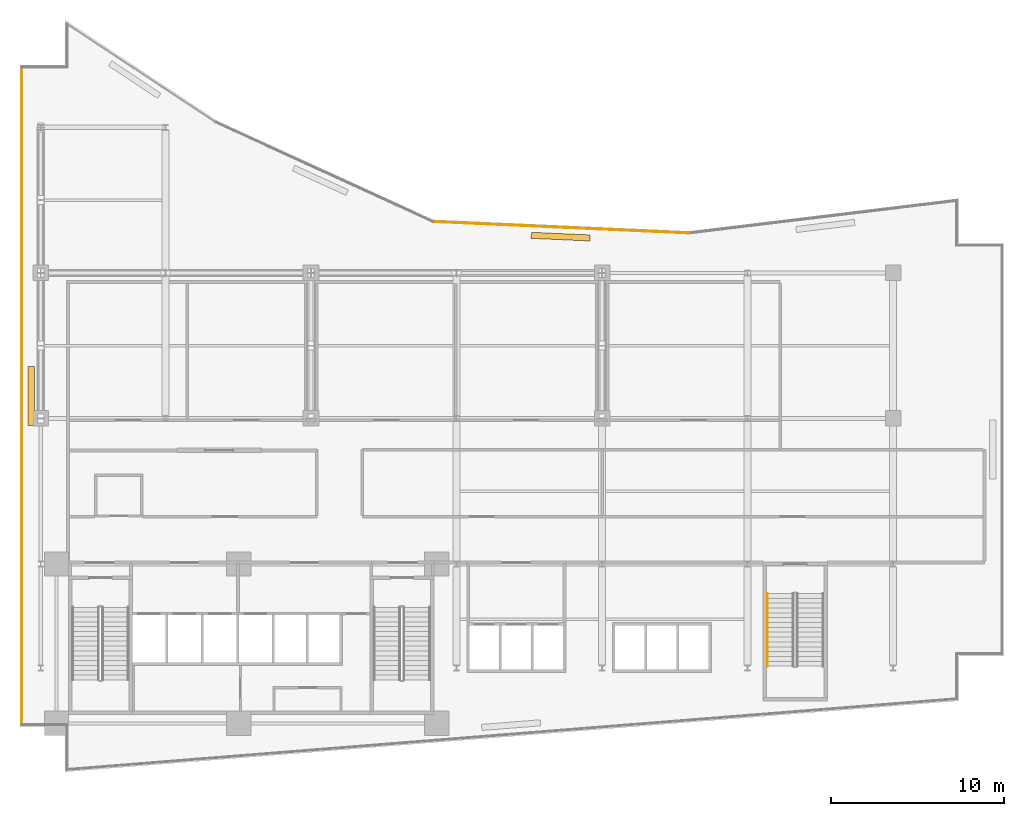
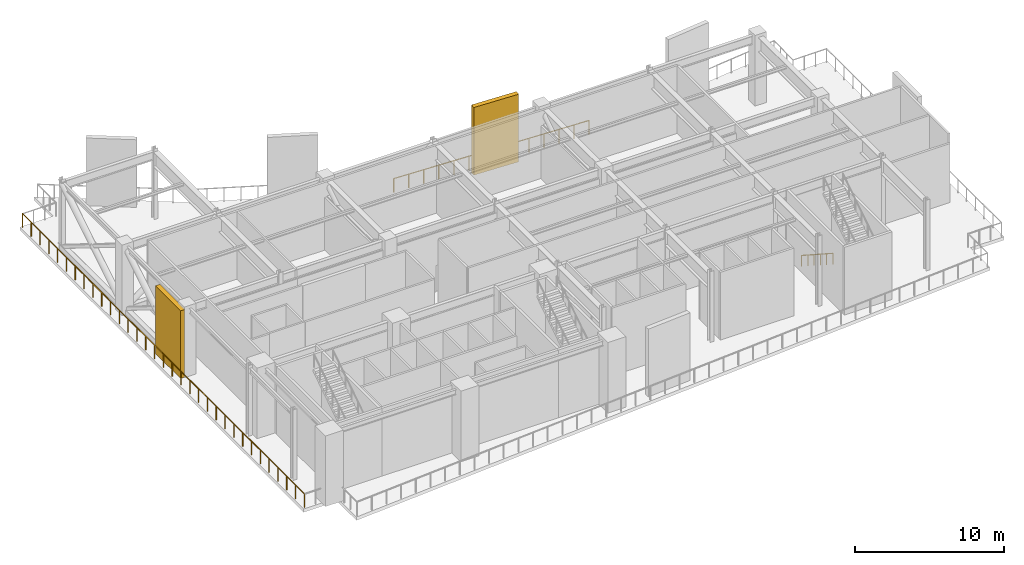
# One storey, part 12 of 14: 3 railings, 2 shading devices.
"""IFC4 building model written with IfcOpenShell, lengths in metres."""

from ifc_helpers import new_model, si_unit, direction, frame, origin, origin_2d, place, context, subcontext, project, spatial, rectangle, circle, extrude, material, layer, layer_set, type_object, element, save


model = new_model("IFC4")

# Units and contexts
model_context = context("Model", 3, precision=1e-05, world=origin(), true_north=direction((0.0, 1.0)))
body_context = subcontext(model_context, "Body", "Model", "MODEL_VIEW")
ifc_project = project(units=[si_unit("LENGTHUNIT", "METRE"), si_unit("AREAUNIT", "SQUARE_METRE"), si_unit("VOLUMEUNIT", "CUBIC_METRE"), si_unit("PLANEANGLEUNIT", "RADIAN"), si_unit("MASSUNIT", "GRAM", prefix="KILO")], contexts=[model_context])

# Site, building, storey
site_placement = place(None, origin())
site = spatial("IfcSite", under=ifc_project, at=site_placement, CompositionType="ELEMENT")
building_placement = place(site_placement, origin())
building = spatial("IfcBuilding", under=site, at=building_placement, Name="Varnakote Quay Hospital", CompositionType="ELEMENT")
storey_placement = place(building_placement, frame((0.0, 0.0, 97.550048828125)))
storey = spatial("IfcBuildingStorey", under=building, at=storey_placement, Name="L24", CompositionType="ELEMENT", Elevation=97.550048828125)

# Railings
ifc_material_1 = material(Name="Anodised aluminium 6063-T6 Bronze", Category="aluminium")
railing_type_1 = type_object("IfcRailingType", Name="RLG-EXT-GUARD-1150", PredefinedType="GUARDRAIL", material=ifc_material_1)
railing_1_placement = place(storey_placement, frame((0.1201171875, 2.719970703125, 0.0)))
element("IfcRailing", 1, at=railing_1_placement, inside=storey, type_object=railing_type_1, Name="L24 Open Wind-Damping Deck Perimeter Safety Guard", PredefinedType="GUARDRAIL", context=body_context, shape_type="SweptSolid", body=[
    extrude(circle(Radius=0.02392578125, at=origin_2d()), frame((0.0, 0.0, 1.1259765625), z_axis=(0.0, 1.0, 0.0), x_axis=(-1.0, 0.0, 0.0)), (0.0, 0.0, 1.0), 37.9599609375),
    extrude(circle(Radius=0.02099609375, at=origin_2d()), origin(), (0.0, 0.0, 1.0), 1.101806640625),
    extrude(circle(Radius=0.02099609375, at=origin_2d()), frame((0.0, 1.186279296875, 0.0)), (0.0, 0.0, 1.0), 1.101806640625),
    extrude(circle(Radius=0.02099609375, at=origin_2d()), frame((0.0, 2.37255859375, 0.0)), (0.0, 0.0, 1.0), 1.101806640625),
    extrude(circle(Radius=0.02099609375, at=origin_2d()), frame((0.0, 3.558837890625, 0.0)), (0.0, 0.0, 1.0), 1.101806640625),
    extrude(circle(Radius=0.02099609375, at=origin_2d()), frame((0.0, 4.7451171875, 0.0)), (0.0, 0.0, 1.0), 1.101806640625),
    extrude(circle(Radius=0.02099609375, at=origin_2d()), frame((0.0, 5.93115234375, 0.0)), (0.0, 0.0, 1.0), 1.101806640625),
    extrude(circle(Radius=0.02099609375, at=origin_2d()), frame((0.0, 7.117431640625, 0.0)), (0.0, 0.0, 1.0), 1.101806640625),
    extrude(circle(Radius=0.02099609375, at=origin_2d()), frame((0.0, 8.3037109375, 0.0)), (0.0, 0.0, 1.0), 1.101806640625),
    extrude(circle(Radius=0.02099609375, at=origin_2d()), frame((0.0, 9.489990234375, 0.0)), (0.0, 0.0, 1.0), 1.101806640625),
    extrude(circle(Radius=0.02099609375, at=origin_2d()), frame((0.0, 10.67626953125, 0.0)), (0.0, 0.0, 1.0), 1.101806640625),
    extrude(circle(Radius=0.02099609375, at=origin_2d()), frame((0.0, 11.862548828125, 0.0)), (0.0, 0.0, 1.0), 1.101806640625),
    extrude(circle(Radius=0.02099609375, at=origin_2d()), frame((0.0, 13.048828125, 0.0)), (0.0, 0.0, 1.0), 1.101806640625),
    extrude(circle(Radius=0.02099609375, at=origin_2d()), frame((0.0, 14.23486328125, 0.0)), (0.0, 0.0, 1.0), 1.101806640625),
    extrude(circle(Radius=0.02099609375, at=origin_2d()), frame((0.0, 15.421142578125, 0.0)), (0.0, 0.0, 1.0), 1.101806640625),
    extrude(circle(Radius=0.02099609375, at=origin_2d()), frame((0.0, 16.607421875, 0.0)), (0.0, 0.0, 1.0), 1.101806640625),
    extrude(circle(Radius=0.02099609375, at=origin_2d()), frame((0.0, 17.793701171875, 0.0)), (0.0, 0.0, 1.0), 1.101806640625),
    extrude(circle(Radius=0.02099609375, at=origin_2d()), frame((0.0, 18.97998046875, 0.0)), (0.0, 0.0, 1.0), 1.101806640625),
    extrude(circle(Radius=0.02099609375, at=origin_2d()), frame((0.0, 20.166259765625, 0.0)), (0.0, 0.0, 1.0), 1.101806640625),
    extrude(circle(Radius=0.02099609375, at=origin_2d()), frame((0.0, 21.3525390625, 0.0)), (0.0, 0.0, 1.0), 1.101806640625),
    extrude(circle(Radius=0.02099609375, at=origin_2d()), frame((0.0, 22.538818359375, 0.0)), (0.0, 0.0, 1.0), 1.101806640625),
    extrude(circle(Radius=0.02099609375, at=origin_2d()), frame((0.0, 23.72509765625, 0.0)), (0.0, 0.0, 1.0), 1.101806640625),
    extrude(circle(Radius=0.02099609375, at=origin_2d()), frame((0.0, 24.9111328125, 0.0)), (0.0, 0.0, 1.0), 1.101806640625),
    extrude(circle(Radius=0.02099609375, at=origin_2d()), frame((0.0, 26.097412109375, 0.0)), (0.0, 0.0, 1.0), 1.101806640625),
    extrude(circle(Radius=0.02099609375, at=origin_2d()), frame((0.0, 27.28369140625, 0.0)), (0.0, 0.0, 1.0), 1.101806640625),
    extrude(circle(Radius=0.02099609375, at=origin_2d()), frame((0.0, 28.469970703125, 0.0)), (0.0, 0.0, 1.0), 1.101806640625),
    extrude(circle(Radius=0.02099609375, at=origin_2d()), frame((0.0, 29.65625, 0.0)), (0.0, 0.0, 1.0), 1.101806640625),
    extrude(circle(Radius=0.02099609375, at=origin_2d()), frame((0.0, 30.842529296875, 0.0)), (0.0, 0.0, 1.0), 1.101806640625),
    extrude(circle(Radius=0.02099609375, at=origin_2d()), frame((0.0, 32.02880859375, 0.0)), (0.0, 0.0, 1.0), 1.101806640625),
    extrude(circle(Radius=0.02099609375, at=origin_2d()), frame((0.0, 33.21484375, 0.0)), (0.0, 0.0, 1.0), 1.101806640625),
    extrude(circle(Radius=0.02099609375, at=origin_2d()), frame((0.0, 34.401123046875, 0.0)), (0.0, 0.0, 1.0), 1.101806640625),
    extrude(circle(Radius=0.02099609375, at=origin_2d()), frame((0.0, 35.58740234375, 0.0)), (0.0, 0.0, 1.0), 1.101806640625),
    extrude(circle(Radius=0.02099609375, at=origin_2d()), frame((0.0, 36.773681640625, 0.0)), (0.0, 0.0, 1.0), 1.101806640625),
    extrude(circle(Radius=0.02099609375, at=origin_2d()), frame((0.0, 37.9599609375, 0.0)), (0.0, 0.0, 1.0), 1.101806640625),
])
railing_2_placement = place(storey_placement, frame((23.827392578125, 31.755126953125, 0.0)))
element("IfcRailing", 2, at=railing_2_placement, inside=storey, type_object=railing_type_1, Name="L24 Open Wind-Damping Deck Perimeter Safety Guard", PredefinedType="GUARDRAIL", context=body_context, shape_type="SweptSolid", body=[
    extrude(circle(Radius=0.02392578125, at=origin_2d()), frame((0.0, 0.0, 1.1259765625), z_axis=(0.998997284202, -0.04477081815, 0.0), x_axis=(0.04477081815, 0.998997284202, 0.0)), (0.0, 0.0, 1.0), 14.816162109375),
    extrude(circle(Radius=0.02099609375, at=origin_2d()), origin(), (0.0, 0.0, 1.0), 1.101806640625),
    extrude(circle(Radius=0.02099609375, at=origin_2d()), frame((1.138671875, -0.051025390625, 0.0)), (0.0, 0.0, 1.0), 1.101806640625),
    extrude(circle(Radius=0.02099609375, at=origin_2d()), frame((2.277099609375, -0.10205078125, 0.0)), (0.0, 0.0, 1.0), 1.101806640625),
    extrude(circle(Radius=0.02099609375, at=origin_2d()), frame((3.415771484375, -0.153076171875, 0.0)), (0.0, 0.0, 1.0), 1.101806640625),
    extrude(circle(Radius=0.02099609375, at=origin_2d()), frame((4.55419921875, -0.2041015625, 0.0)), (0.0, 0.0, 1.0), 1.101806640625),
    extrude(circle(Radius=0.02099609375, at=origin_2d()), frame((5.69287109375, -0.255126953125, 0.0)), (0.0, 0.0, 1.0), 1.101806640625),
    extrude(circle(Radius=0.02099609375, at=origin_2d()), frame((6.831298828125, -0.30615234375, 0.0)), (0.0, 0.0, 1.0), 1.101806640625),
    extrude(circle(Radius=0.02099609375, at=origin_2d()), frame((7.969970703125, -0.357177734375, 0.0)), (0.0, 0.0, 1.0), 1.101806640625),
    extrude(circle(Radius=0.02099609375, at=origin_2d()), frame((9.1083984375, -0.408203125, 0.0)), (0.0, 0.0, 1.0), 1.101806640625),
    extrude(circle(Radius=0.02099609375, at=origin_2d()), frame((10.2470703125, -0.459228515625, 0.0)), (0.0, 0.0, 1.0), 1.101806640625),
    extrude(circle(Radius=0.02099609375, at=origin_2d()), frame((11.385498046875, -0.51025390625, 0.0)), (0.0, 0.0, 1.0), 1.101806640625),
    extrude(circle(Radius=0.02099609375, at=origin_2d()), frame((12.524169921875, -0.561279296875, 0.0)), (0.0, 0.0, 1.0), 1.101806640625),
    extrude(circle(Radius=0.02099609375, at=origin_2d()), frame((13.66259765625, -0.6123046875, 0.0)), (0.0, 0.0, 1.0), 1.101806640625),
    extrude(circle(Radius=0.02099609375, at=origin_2d()), frame((14.80126953125, -0.663330078125, 0.0)), (0.0, 0.0, 1.0), 1.101806640625),
])
ifc_material_2 = material(Name="Brushed stainless steel handrail", Category="steel")
railing_type_2 = type_object("IfcRailingType", Name="RLG-STAIR-HND-920", PredefinedType="HANDRAIL", material=ifc_material_2)
railing_3_placement = place(storey_placement, frame((43.14990234375, 10.300048828125, 0.18115234375)))
element("IfcRailing", 3, at=railing_3_placement, inside=storey, type_object=railing_type_2, Name="L24 ST-03 stair handrail 1", PredefinedType="HANDRAIL", context=body_context, shape_type="SweptSolid", body=[
    extrude(circle(Radius=0.02392578125, at=origin_2d()), frame((0.0, 0.0, 0.8759765625), z_axis=(0.0, -0.839466714631, 0.543411110511), x_axis=(1.0, 0.0, 0.0)), (0.0, 0.0, 1.0), 5.003173828125),
    extrude(circle(Radius=0.02099609375, at=origin_2d()), origin(), (0.0, 0.0, 1.0), 0.851806640625),
    extrude(circle(Radius=0.02099609375, at=origin_2d()), frame((0.0, -0.840087890625, 0.543701171875)), (0.0, 0.0, 1.0), 0.851806640625),
    extrude(circle(Radius=0.02099609375, at=origin_2d()), frame((0.0, -1.679931640625, 1.08740234375)), (0.0, 0.0, 1.0), 0.851806640625),
    extrude(circle(Radius=0.02099609375, at=origin_2d()), frame((0.0, -2.52001953125, 1.63134765625)), (0.0, 0.0, 1.0), 0.851806640625),
    extrude(circle(Radius=0.02099609375, at=origin_2d()), frame((0.0, -3.35986328125, 2.175048828125)), (0.0, 0.0, 1.0), 0.851806640625),
    extrude(circle(Radius=0.02099609375, at=origin_2d()), frame((0.0, -4.199951171875, 2.71875)), (0.0, 0.0, 1.0), 0.851806640625),
])

# Shading devices
ifc_material_3 = material(Name="Precast concrete N50 (f'c 50 MPa)", Category="concrete")
ifc_layer = layer(ifc_material_3, 0.35009765625)
ifc_layer_set = layer_set([ifc_layer], Name="Precast concrete N50 (f'c 50 MPa)")
shading_device_type = type_object("IfcShadingDeviceType", Name="SHD-BRICK-OCULUS-350", PredefinedType="USERDEFINED", material=ifc_layer_set)
for number, where, z_axis, x_axis, name in (
    (4, (31.2109375, 30.893798828125, 0.0), (0.0, 0.0, 1.0), (-0.998994184858, 0.044839922168, 0.0), "L24 Brick Oculus Wind Screen"),
    (5, (0.64990234375, 21.699951171875, 0.0), (0.0, 0.0, 1.0), (0.0, -1.0, 0.0), "L24 Brick Oculus Wind Screen"),
):
    element("IfcShadingDevice", number, at=place(storey_placement, frame(where, z_axis=z_axis, x_axis=x_axis)), inside=storey, type_object=shading_device_type, Name=name, ObjectType="OCULUS", PredefinedType="USERDEFINED", context=body_context, shape_type="SweptSolid", body=[
        extrude(rectangle(XDim=3.39990234375, YDim=0.35009765625, at=origin_2d()), origin(), (0.0, 0.0, 1.0), 5.56005859375),
    ])

save(model, "model.ifc")
